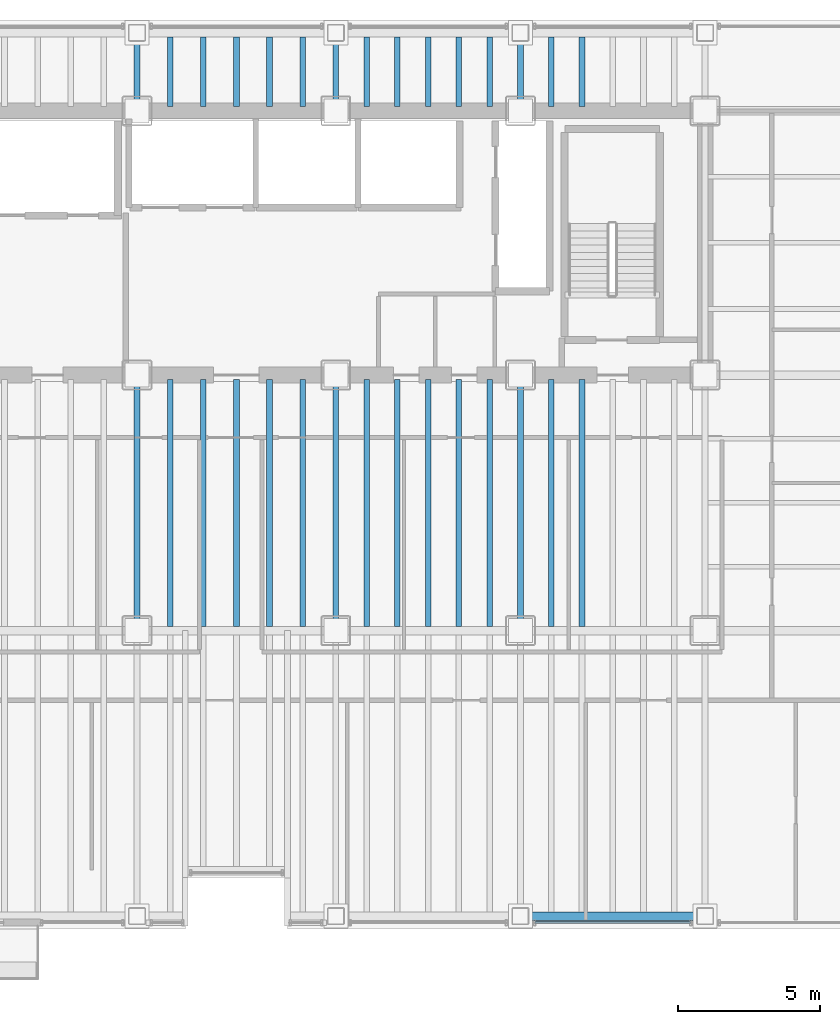
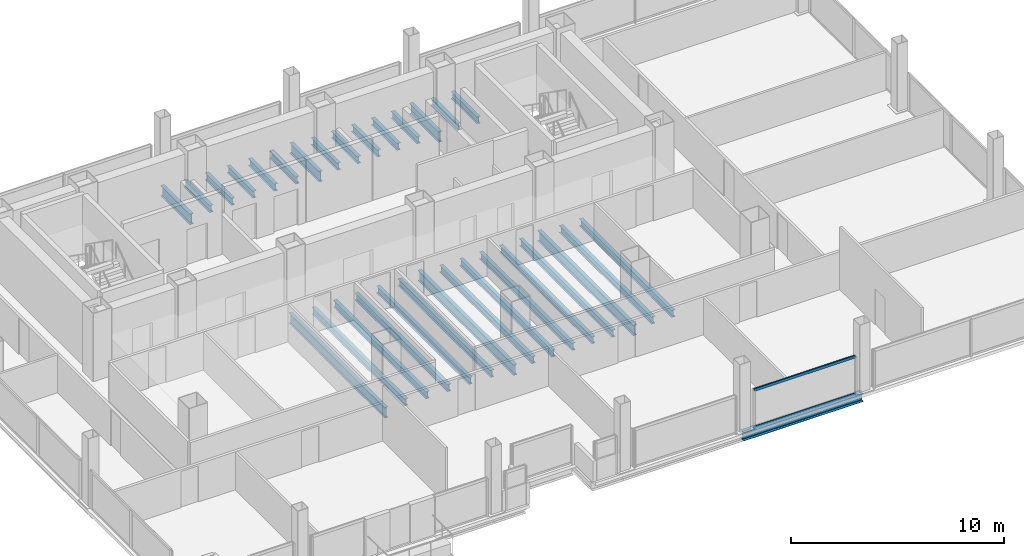
# One storey, part 8 of 21: 31 beams, 2 members, 1 element without a shape of its own.
"""IFC4 building model written with IfcOpenShell, lengths in metres."""

from ifc_helpers import new_model, si_unit, direction, frame, origin, origin_2d, place, context, subcontext, project, spatial, hollow_rectangle, i_section, extrude, material, material_profile, profile_set, type_object, element, aggregate, save


model = new_model("IFC4")

# Units and contexts
model_context = context("Model", 3, precision=1e-05, world=origin(), true_north=direction((0.0, 1.0)))
body_context = subcontext(model_context, "Body", "Model", "MODEL_VIEW")
ifc_project = project(units=[si_unit("LENGTHUNIT", "METRE"), si_unit("AREAUNIT", "SQUARE_METRE"), si_unit("VOLUMEUNIT", "CUBIC_METRE"), si_unit("PLANEANGLEUNIT", "RADIAN"), si_unit("MASSUNIT", "GRAM", prefix="KILO")], contexts=[model_context])

# Site, building, storey
site_placement = place(None, origin())
site = spatial("IfcSite", under=ifc_project, at=site_placement, CompositionType="ELEMENT")
building_placement = place(site_placement, origin())
building = spatial("IfcBuilding", under=site, at=building_placement, Name="Noeulbin Bourse Tower", CompositionType="ELEMENT")
storey_placement = place(building_placement, frame((0.0, 0.0, 96.699951171875)))
storey = spatial("IfcBuildingStorey", under=building, at=storey_placement, Name="L24", CompositionType="ELEMENT", Elevation=96.699951171875)

# Beams
ifc_material_1 = material(Name="Steel S355", Category="steel")
ifc_material_profile_1 = material_profile(ifc_material_1, i_section(OverallWidth=0.199951171875, OverallDepth=0.60009765625, WebThickness=0.010986328125, FlangeThickness=0.01708984375, FilletRadius=0.02197265625, at=origin_2d()), Name="H-600x200x11x17", Category="LoadBearing")
ifc_profile_set_1 = profile_set([ifc_material_profile_1], Name="Steel S355")
beam_type_1 = type_object("IfcBeamType", Name="BM-GRD-600", PredefinedType="USERDEFINED", material=ifc_profile_set_1)
beam_1_placement = place(storey_placement, frame((24.0, 20.0, -0.47998046875), z_axis=(0.0, 1.0, 0.0), x_axis=(-1.0, 0.0, 0.0)))
element("IfcBeam", 1, at=beam_1_placement, inside=storey, type_object=beam_type_1, Name="Tower Primary Girder NS L24-2.2", ObjectType="GIRDER", PredefinedType="USERDEFINED", context=body_context, shape_type="SweptSolid", body=[
    extrude(i_section(OverallWidth=0.199951171875, OverallDepth=0.60009765625, WebThickness=0.010986328125, FlangeThickness=0.01708984375, FilletRadius=0.02197265625, at=origin_2d()), origin(), (0.0, 0.0, 1.0), 9.0),
])
beam_2_placement = place(storey_placement, frame((24.0, 38.300048828125, -0.47998046875), z_axis=(0.0, 1.0, 0.0), x_axis=(-1.0, 0.0, 0.0)))
element("IfcBeam", 2, at=beam_2_placement, inside=storey, type_object=beam_type_1, Name="Tower Primary Girder NS L24-2.4", ObjectType="GIRDER", PredefinedType="USERDEFINED", context=body_context, shape_type="SweptSolid", body=[
    extrude(i_section(OverallWidth=0.199951171875, OverallDepth=0.60009765625, WebThickness=0.010986328125, FlangeThickness=0.01708984375, FilletRadius=0.02197265625, at=origin_2d()), origin(), (0.0, 0.0, 1.0), 2.75),
])
beam_3_placement = place(storey_placement, frame((31.0, 20.0, -0.47998046875), z_axis=(0.0, 1.0, 0.0), x_axis=(-1.0, 0.0, 0.0)))
element("IfcBeam", 3, at=beam_3_placement, inside=storey, type_object=beam_type_1, Name="Tower Primary Girder NS L24-3.2", ObjectType="GIRDER", PredefinedType="USERDEFINED", context=body_context, shape_type="SweptSolid", body=[
    extrude(i_section(OverallWidth=0.199951171875, OverallDepth=0.60009765625, WebThickness=0.010986328125, FlangeThickness=0.01708984375, FilletRadius=0.02197265625, at=origin_2d()), origin(), (0.0, 0.0, 1.0), 9.0),
])
beam_4_placement = place(storey_placement, frame((31.0, 38.300048828125, -0.47998046875), z_axis=(0.0, 1.0, 0.0), x_axis=(-1.0, 0.0, 0.0)))
element("IfcBeam", 4, at=beam_4_placement, inside=storey, type_object=beam_type_1, Name="Tower Primary Girder NS L24-3.4", ObjectType="GIRDER", PredefinedType="USERDEFINED", context=body_context, shape_type="SweptSolid", body=[
    extrude(i_section(OverallWidth=0.199951171875, OverallDepth=0.60009765625, WebThickness=0.010986328125, FlangeThickness=0.01708984375, FilletRadius=0.02197265625, at=origin_2d()), origin(), (0.0, 0.0, 1.0), 2.75),
])
beam_5_placement = place(storey_placement, frame((37.5, 20.0, -0.47998046875), z_axis=(0.0, 1.0, 0.0), x_axis=(-1.0, 0.0, 0.0)))
element("IfcBeam", 5, at=beam_5_placement, inside=storey, type_object=beam_type_1, Name="Tower Primary Girder NS L24-4.2", ObjectType="GIRDER", PredefinedType="USERDEFINED", context=body_context, shape_type="SweptSolid", body=[
    extrude(i_section(OverallWidth=0.199951171875, OverallDepth=0.60009765625, WebThickness=0.010986328125, FlangeThickness=0.01708984375, FilletRadius=0.02197265625, at=origin_2d()), origin(), (0.0, 0.0, 1.0), 9.0),
])
beam_6_placement = place(storey_placement, frame((37.5, 38.300048828125, -0.47998046875), z_axis=(0.0, 1.0, 0.0), x_axis=(-1.0, 0.0, 0.0)))
element("IfcBeam", 6, at=beam_6_placement, inside=storey, type_object=beam_type_1, Name="Tower Primary Girder NS L24-4.4", ObjectType="GIRDER", PredefinedType="USERDEFINED", context=body_context, shape_type="SweptSolid", body=[
    extrude(i_section(OverallWidth=0.199951171875, OverallDepth=0.60009765625, WebThickness=0.010986328125, FlangeThickness=0.01708984375, FilletRadius=0.02197265625, at=origin_2d()), origin(), (0.0, 0.0, 1.0), 2.75),
])
ifc_material_profile_2 = material_profile(ifc_material_1, i_section(OverallWidth=0.199951171875, OverallDepth=0.39990234375, WebThickness=0.008056640625, FlangeThickness=0.012939453125, FilletRadius=0.01611328125, at=origin_2d()), Name="H-400x200x8x13", Category="LoadBearing")
ifc_profile_set_2 = profile_set([ifc_material_profile_2], Name="Steel S355")
beam_type_2 = type_object("IfcBeamType", Name="BM-SEC-400", PredefinedType="BEAM", material=ifc_profile_set_2)
beam_7_placement = place(storey_placement, frame((25.166748046875, 20.14990234375, -0.3798828125), z_axis=(0.0, 1.0, 0.0), x_axis=(-1.0, 0.0, 0.0)))
element("IfcBeam", 7, at=beam_7_placement, inside=storey, type_object=beam_type_2, Name="Tower Composite Joist L24-26", PredefinedType="BEAM", context=body_context, shape_type="SweptSolid", body=[
    extrude(i_section(OverallWidth=0.199951171875, OverallDepth=0.39990234375, WebThickness=0.008056640625, FlangeThickness=0.012939453125, FilletRadius=0.01611328125, at=origin_2d()), origin(), (0.0, 0.0, 1.0), 8.7001953125),
])
beam_8_placement = place(storey_placement, frame((25.166748046875, 38.449951171875, -0.3798828125), z_axis=(0.0, 1.0, 0.0), x_axis=(-1.0, 0.0, 0.0)))
element("IfcBeam", 8, at=beam_8_placement, inside=storey, type_object=beam_type_2, Name="Tower Composite Joist L24-27", PredefinedType="BEAM", context=body_context, shape_type="SweptSolid", body=[
    extrude(i_section(OverallWidth=0.199951171875, OverallDepth=0.39990234375, WebThickness=0.008056640625, FlangeThickness=0.012939453125, FilletRadius=0.01611328125, at=origin_2d()), origin(), (0.0, 0.0, 1.0), 2.449951171875),
])
beam_9_placement = place(storey_placement, frame((26.333251953125, 20.14990234375, -0.3798828125), z_axis=(0.0, 1.0, 0.0), x_axis=(-1.0, 0.0, 0.0)))
element("IfcBeam", 9, at=beam_9_placement, inside=storey, type_object=beam_type_2, Name="Tower Composite Joist L24-29", PredefinedType="BEAM", context=body_context, shape_type="SweptSolid", body=[
    extrude(i_section(OverallWidth=0.199951171875, OverallDepth=0.39990234375, WebThickness=0.008056640625, FlangeThickness=0.012939453125, FilletRadius=0.01611328125, at=origin_2d()), origin(), (0.0, 0.0, 1.0), 8.7001953125),
])
beam_10_placement = place(storey_placement, frame((26.333251953125, 38.449951171875, -0.3798828125), z_axis=(0.0, 1.0, 0.0), x_axis=(-1.0, 0.0, 0.0)))
element("IfcBeam", 10, at=beam_10_placement, inside=storey, type_object=beam_type_2, Name="Tower Composite Joist L24-30", PredefinedType="BEAM", context=body_context, shape_type="SweptSolid", body=[
    extrude(i_section(OverallWidth=0.199951171875, OverallDepth=0.39990234375, WebThickness=0.008056640625, FlangeThickness=0.012939453125, FilletRadius=0.01611328125, at=origin_2d()), origin(), (0.0, 0.0, 1.0), 2.449951171875),
])
beam_11_placement = place(storey_placement, frame((27.5, 20.14990234375, -0.3798828125), z_axis=(0.0, 1.0, 0.0), x_axis=(-1.0, 0.0, 0.0)))
element("IfcBeam", 11, at=beam_11_placement, inside=storey, type_object=beam_type_2, Name="Tower Composite Joist L24-32", PredefinedType="BEAM", context=body_context, shape_type="SweptSolid", body=[
    extrude(i_section(OverallWidth=0.199951171875, OverallDepth=0.39990234375, WebThickness=0.008056640625, FlangeThickness=0.012939453125, FilletRadius=0.01611328125, at=origin_2d()), origin(), (0.0, 0.0, 1.0), 8.7001953125),
])
beam_12_placement = place(storey_placement, frame((27.5, 38.449951171875, -0.3798828125), z_axis=(0.0, 1.0, 0.0), x_axis=(-1.0, 0.0, 0.0)))
element("IfcBeam", 12, at=beam_12_placement, inside=storey, type_object=beam_type_2, Name="Tower Composite Joist L24-33", PredefinedType="BEAM", context=body_context, shape_type="SweptSolid", body=[
    extrude(i_section(OverallWidth=0.199951171875, OverallDepth=0.39990234375, WebThickness=0.008056640625, FlangeThickness=0.012939453125, FilletRadius=0.01611328125, at=origin_2d()), origin(), (0.0, 0.0, 1.0), 2.449951171875),
])
beam_13_placement = place(storey_placement, frame((28.666748046875, 20.14990234375, -0.3798828125), z_axis=(0.0, 1.0, 0.0), x_axis=(-1.0, 0.0, 0.0)))
element("IfcBeam", 13, at=beam_13_placement, inside=storey, type_object=beam_type_2, Name="Tower Composite Joist L24-35", PredefinedType="BEAM", context=body_context, shape_type="SweptSolid", body=[
    extrude(i_section(OverallWidth=0.199951171875, OverallDepth=0.39990234375, WebThickness=0.008056640625, FlangeThickness=0.012939453125, FilletRadius=0.01611328125, at=origin_2d()), origin(), (0.0, 0.0, 1.0), 8.7001953125),
])
beam_14_placement = place(storey_placement, frame((28.666748046875, 38.449951171875, -0.3798828125), z_axis=(0.0, 1.0, 0.0), x_axis=(-1.0, 0.0, 0.0)))
element("IfcBeam", 14, at=beam_14_placement, inside=storey, type_object=beam_type_2, Name="Tower Composite Joist L24-36", PredefinedType="BEAM", context=body_context, shape_type="SweptSolid", body=[
    extrude(i_section(OverallWidth=0.199951171875, OverallDepth=0.39990234375, WebThickness=0.008056640625, FlangeThickness=0.012939453125, FilletRadius=0.01611328125, at=origin_2d()), origin(), (0.0, 0.0, 1.0), 2.449951171875),
])
beam_15_placement = place(storey_placement, frame((29.833251953125, 20.14990234375, -0.3798828125), z_axis=(0.0, 1.0, 0.0), x_axis=(-1.0, 0.0, 0.0)))
element("IfcBeam", 15, at=beam_15_placement, inside=storey, type_object=beam_type_2, Name="Tower Composite Joist L24-38", PredefinedType="BEAM", context=body_context, shape_type="SweptSolid", body=[
    extrude(i_section(OverallWidth=0.199951171875, OverallDepth=0.39990234375, WebThickness=0.008056640625, FlangeThickness=0.012939453125, FilletRadius=0.01611328125, at=origin_2d()), origin(), (0.0, 0.0, 1.0), 8.7001953125),
])
beam_16_placement = place(storey_placement, frame((29.833251953125, 38.449951171875, -0.3798828125), z_axis=(0.0, 1.0, 0.0), x_axis=(-1.0, 0.0, 0.0)))
element("IfcBeam", 16, at=beam_16_placement, inside=storey, type_object=beam_type_2, Name="Tower Composite Joist L24-39", PredefinedType="BEAM", context=body_context, shape_type="SweptSolid", body=[
    extrude(i_section(OverallWidth=0.199951171875, OverallDepth=0.39990234375, WebThickness=0.008056640625, FlangeThickness=0.012939453125, FilletRadius=0.01611328125, at=origin_2d()), origin(), (0.0, 0.0, 1.0), 2.449951171875),
])
beam_17_placement = place(storey_placement, frame((32.083251953125, 20.14990234375, -0.3798828125), z_axis=(0.0, 1.0, 0.0), x_axis=(-1.0, 0.0, 0.0)))
element("IfcBeam", 17, at=beam_17_placement, inside=storey, type_object=beam_type_2, Name="Tower Composite Joist L24-41", PredefinedType="BEAM", context=body_context, shape_type="SweptSolid", body=[
    extrude(i_section(OverallWidth=0.199951171875, OverallDepth=0.39990234375, WebThickness=0.008056640625, FlangeThickness=0.012939453125, FilletRadius=0.01611328125, at=origin_2d()), origin(), (0.0, 0.0, 1.0), 8.7001953125),
])
beam_18_placement = place(storey_placement, frame((32.083251953125, 38.449951171875, -0.3798828125), z_axis=(0.0, 1.0, 0.0), x_axis=(-1.0, 0.0, 0.0)))
element("IfcBeam", 18, at=beam_18_placement, inside=storey, type_object=beam_type_2, Name="Tower Composite Joist L24-42", PredefinedType="BEAM", context=body_context, shape_type="SweptSolid", body=[
    extrude(i_section(OverallWidth=0.199951171875, OverallDepth=0.39990234375, WebThickness=0.008056640625, FlangeThickness=0.012939453125, FilletRadius=0.01611328125, at=origin_2d()), origin(), (0.0, 0.0, 1.0), 2.449951171875),
])
beam_19_placement = place(storey_placement, frame((33.166748046875, 20.14990234375, -0.3798828125), z_axis=(0.0, 1.0, 0.0), x_axis=(-1.0, 0.0, 0.0)))
element("IfcBeam", 19, at=beam_19_placement, inside=storey, type_object=beam_type_2, Name="Tower Composite Joist L24-44", PredefinedType="BEAM", context=body_context, shape_type="SweptSolid", body=[
    extrude(i_section(OverallWidth=0.199951171875, OverallDepth=0.39990234375, WebThickness=0.008056640625, FlangeThickness=0.012939453125, FilletRadius=0.01611328125, at=origin_2d()), origin(), (0.0, 0.0, 1.0), 8.7001953125),
])
beam_20_placement = place(storey_placement, frame((33.166748046875, 38.449951171875, -0.3798828125), z_axis=(0.0, 1.0, 0.0), x_axis=(-1.0, 0.0, 0.0)))
element("IfcBeam", 20, at=beam_20_placement, inside=storey, type_object=beam_type_2, Name="Tower Composite Joist L24-45", PredefinedType="BEAM", context=body_context, shape_type="SweptSolid", body=[
    extrude(i_section(OverallWidth=0.199951171875, OverallDepth=0.39990234375, WebThickness=0.008056640625, FlangeThickness=0.012939453125, FilletRadius=0.01611328125, at=origin_2d()), origin(), (0.0, 0.0, 1.0), 2.449951171875),
])
beam_21_placement = place(storey_placement, frame((34.25, 20.14990234375, -0.3798828125), z_axis=(0.0, 1.0, 0.0), x_axis=(-1.0, 0.0, 0.0)))
element("IfcBeam", 21, at=beam_21_placement, inside=storey, type_object=beam_type_2, Name="Tower Composite Joist L24-47", PredefinedType="BEAM", context=body_context, shape_type="SweptSolid", body=[
    extrude(i_section(OverallWidth=0.199951171875, OverallDepth=0.39990234375, WebThickness=0.008056640625, FlangeThickness=0.012939453125, FilletRadius=0.01611328125, at=origin_2d()), origin(), (0.0, 0.0, 1.0), 8.7001953125),
])
beam_22_placement = place(storey_placement, frame((34.25, 38.449951171875, -0.3798828125), z_axis=(0.0, 1.0, 0.0), x_axis=(-1.0, 0.0, 0.0)))
element("IfcBeam", 22, at=beam_22_placement, inside=storey, type_object=beam_type_2, Name="Tower Composite Joist L24-48", PredefinedType="BEAM", context=body_context, shape_type="SweptSolid", body=[
    extrude(i_section(OverallWidth=0.199951171875, OverallDepth=0.39990234375, WebThickness=0.008056640625, FlangeThickness=0.012939453125, FilletRadius=0.01611328125, at=origin_2d()), origin(), (0.0, 0.0, 1.0), 2.449951171875),
])
beam_23_placement = place(storey_placement, frame((35.333251953125, 20.14990234375, -0.3798828125), z_axis=(0.0, 1.0, 0.0), x_axis=(-1.0, 0.0, 0.0)))
element("IfcBeam", 23, at=beam_23_placement, inside=storey, type_object=beam_type_2, Name="Tower Composite Joist L24-50", PredefinedType="BEAM", context=body_context, shape_type="SweptSolid", body=[
    extrude(i_section(OverallWidth=0.199951171875, OverallDepth=0.39990234375, WebThickness=0.008056640625, FlangeThickness=0.012939453125, FilletRadius=0.01611328125, at=origin_2d()), origin(), (0.0, 0.0, 1.0), 8.7001953125),
])
beam_24_placement = place(storey_placement, frame((35.333251953125, 38.449951171875, -0.3798828125), z_axis=(0.0, 1.0, 0.0), x_axis=(-1.0, 0.0, 0.0)))
element("IfcBeam", 24, at=beam_24_placement, inside=storey, type_object=beam_type_2, Name="Tower Composite Joist L24-51", PredefinedType="BEAM", context=body_context, shape_type="SweptSolid", body=[
    extrude(i_section(OverallWidth=0.199951171875, OverallDepth=0.39990234375, WebThickness=0.008056640625, FlangeThickness=0.012939453125, FilletRadius=0.01611328125, at=origin_2d()), origin(), (0.0, 0.0, 1.0), 2.449951171875),
])
beam_25_placement = place(storey_placement, frame((36.416748046875, 20.14990234375, -0.3798828125), z_axis=(0.0, 1.0, 0.0), x_axis=(-1.0, 0.0, 0.0)))
element("IfcBeam", 25, at=beam_25_placement, inside=storey, type_object=beam_type_2, Name="Tower Composite Joist L24-53", PredefinedType="BEAM", context=body_context, shape_type="SweptSolid", body=[
    extrude(i_section(OverallWidth=0.199951171875, OverallDepth=0.39990234375, WebThickness=0.008056640625, FlangeThickness=0.012939453125, FilletRadius=0.01611328125, at=origin_2d()), origin(), (0.0, 0.0, 1.0), 8.7001953125),
])
beam_26_placement = place(storey_placement, frame((36.416748046875, 38.449951171875, -0.3798828125), z_axis=(0.0, 1.0, 0.0), x_axis=(-1.0, 0.0, 0.0)))
element("IfcBeam", 26, at=beam_26_placement, inside=storey, type_object=beam_type_2, Name="Tower Composite Joist L24-54", PredefinedType="BEAM", context=body_context, shape_type="SweptSolid", body=[
    extrude(i_section(OverallWidth=0.199951171875, OverallDepth=0.39990234375, WebThickness=0.008056640625, FlangeThickness=0.012939453125, FilletRadius=0.01611328125, at=origin_2d()), origin(), (0.0, 0.0, 1.0), 2.449951171875),
])
beam_27_placement = place(storey_placement, frame((38.583251953125, 20.14990234375, -0.3798828125), z_axis=(0.0, 1.0, 0.0), x_axis=(-1.0, 0.0, 0.0)))
element("IfcBeam", 27, at=beam_27_placement, inside=storey, type_object=beam_type_2, Name="Tower Composite Joist L24-56", PredefinedType="BEAM", context=body_context, shape_type="SweptSolid", body=[
    extrude(i_section(OverallWidth=0.199951171875, OverallDepth=0.39990234375, WebThickness=0.008056640625, FlangeThickness=0.012939453125, FilletRadius=0.01611328125, at=origin_2d()), origin(), (0.0, 0.0, 1.0), 8.7001953125),
])
beam_28_placement = place(storey_placement, frame((38.583251953125, 38.449951171875, -0.3798828125), z_axis=(0.0, 1.0, 0.0), x_axis=(-1.0, 0.0, 0.0)))
element("IfcBeam", 28, at=beam_28_placement, inside=storey, type_object=beam_type_2, Name="Tower Composite Joist L24-57", PredefinedType="BEAM", context=body_context, shape_type="SweptSolid", body=[
    extrude(i_section(OverallWidth=0.199951171875, OverallDepth=0.39990234375, WebThickness=0.008056640625, FlangeThickness=0.012939453125, FilletRadius=0.01611328125, at=origin_2d()), origin(), (0.0, 0.0, 1.0), 2.449951171875),
])
beam_29_placement = place(storey_placement, frame((39.666748046875, 20.14990234375, -0.3798828125), z_axis=(0.0, 1.0, 0.0), x_axis=(-1.0, 0.0, 0.0)))
element("IfcBeam", 29, at=beam_29_placement, inside=storey, type_object=beam_type_2, Name="Tower Composite Joist L24-59", PredefinedType="BEAM", context=body_context, shape_type="SweptSolid", body=[
    extrude(i_section(OverallWidth=0.199951171875, OverallDepth=0.39990234375, WebThickness=0.008056640625, FlangeThickness=0.012939453125, FilletRadius=0.01611328125, at=origin_2d()), origin(), (0.0, 0.0, 1.0), 8.7001953125),
])
beam_30_placement = place(storey_placement, frame((39.666748046875, 38.449951171875, -0.3798828125), z_axis=(0.0, 1.0, 0.0), x_axis=(-1.0, 0.0, 0.0)))
element("IfcBeam", 30, at=beam_30_placement, inside=storey, type_object=beam_type_2, Name="Tower Composite Joist L24-60", PredefinedType="BEAM", context=body_context, shape_type="SweptSolid", body=[
    extrude(i_section(OverallWidth=0.199951171875, OverallDepth=0.39990234375, WebThickness=0.008056640625, FlangeThickness=0.012939453125, FilletRadius=0.01611328125, at=origin_2d()), origin(), (0.0, 0.0, 1.0), 2.449951171875),
])
ifc_material_profile_3 = material_profile(ifc_material_1, i_section(OverallWidth=0.300048828125, OverallDepth=0.488037109375, WebThickness=0.010986328125, FlangeThickness=0.01806640625, FilletRadius=0.02197265625, at=origin_2d()), Name="H-488x300x11x18", Category="LoadBearing")
ifc_profile_set_3 = profile_set([ifc_material_profile_3], Name="Steel S355")
beam_type_3 = type_object("IfcBeamType", Name="BM-SPN-488", PredefinedType="SPANDREL", material=ifc_profile_set_3)
beam_31_placement = place(storey_placement, frame((37.5, 9.949951171875, -0.424072265625), z_axis=(1.0, 0.0, 0.0), x_axis=(0.0, 1.0, 0.0)))
element("IfcBeam", 31, at=beam_31_placement, inside=storey, type_object=beam_type_3, Name="South Spandrel L24-4", PredefinedType="SPANDREL", context=body_context, shape_type="SweptSolid", body=[
    extrude(i_section(OverallWidth=0.300048828125, OverallDepth=0.488037109375, WebThickness=0.010986328125, FlangeThickness=0.01806640625, FilletRadius=0.02197265625, at=origin_2d()), origin(), (0.0, 0.0, 1.0), 6.5),
])

# Curtain wall, members
ifc_material_2 = material(Name="Dark Solar-Control Double Glazing", Category="glass")
curtain_wall_type = type_object("IfcCurtainWallType", Name="CW-SYS-2", PredefinedType="NOTDEFINED", material=ifc_material_2)
curtain_wall_placement = place(storey_placement, origin())
curtain_wall = element("IfcCurtainWall", 32, at=curtain_wall_placement, inside=storey, type_object=curtain_wall_type, Name="Unitised Curtain Wall CW-L24-S3-S3", PredefinedType="NOTDEFINED")
ifc_material_3 = material(Name="Anodised Aluminium 6063-T6", Category="aluminium")
ifc_material_profile_4 = material_profile(ifc_material_3, hollow_rectangle(XDim=0.074951171875, YDim=0.159912109375, WallThickness=0.0048828125, InnerFilletRadius=0.00244140625, OuterFilletRadius=0.0048828125, at=origin_2d()), Name="ALU-TRAN-75x160x5", Category="LoadBearing")
ifc_profile_set_4 = profile_set([ifc_material_profile_4], Name="Anodised Aluminium 6063-T6")
member_type = type_object("IfcMemberType", Name="CW-SYS-2-TRN", PredefinedType="USERDEFINED", material=ifc_profile_set_4)
member_1_placement = place(storey_placement, frame((38.010009765625, 9.719970703125, 0.010009765625), z_axis=(1.0, 0.0, 0.0), x_axis=(0.0, 1.0, 0.0)))
member_1 = element("IfcMember", 33, at=member_1_placement, type_object=member_type, Name="Curtain Wall Transom CW-L24-S3-S3-T00", ObjectType="TRANSOM", PredefinedType="USERDEFINED", context=body_context, shape_type="SweptSolid", body=[
    extrude(hollow_rectangle(XDim=0.074951171875, YDim=0.159912109375, WallThickness=0.0048828125, InnerFilletRadius=0.00244140625, OuterFilletRadius=0.0048828125, at=origin_2d()), origin(), (0.0, 0.0, 1.0), 5.47998046875),
])
member_2_placement = place(storey_placement, frame((38.010009765625, 9.719970703125, 2.150146484375), z_axis=(1.0, 0.0, 0.0), x_axis=(0.0, 1.0, 0.0)))
member_2 = element("IfcMember", 34, at=member_2_placement, type_object=member_type, Name="Curtain Wall Transom CW-L24-S3-S3-T01", ObjectType="TRANSOM", PredefinedType="USERDEFINED", context=body_context, shape_type="SweptSolid", body=[
    extrude(hollow_rectangle(XDim=0.074951171875, YDim=0.159912109375, WallThickness=0.0048828125, InnerFilletRadius=0.00244140625, OuterFilletRadius=0.0048828125, at=origin_2d()), origin(), (0.0, 0.0, 1.0), 5.47998046875),
])
aggregate(curtain_wall, [member_1, member_2])

save(model, "model.ifc")
